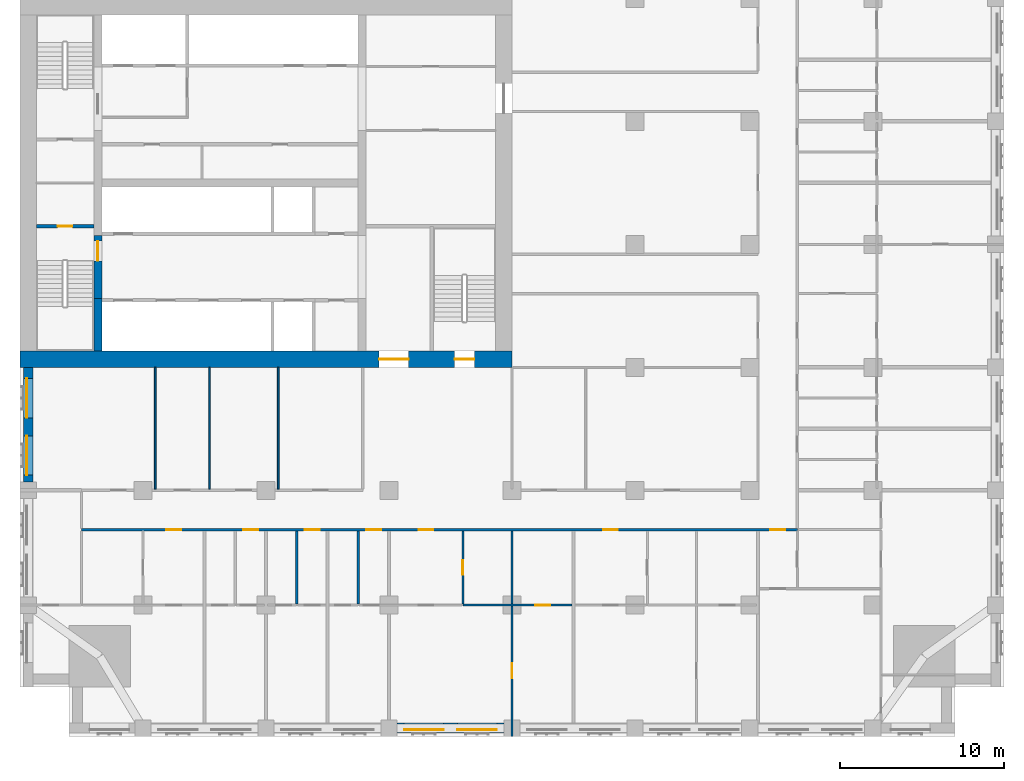
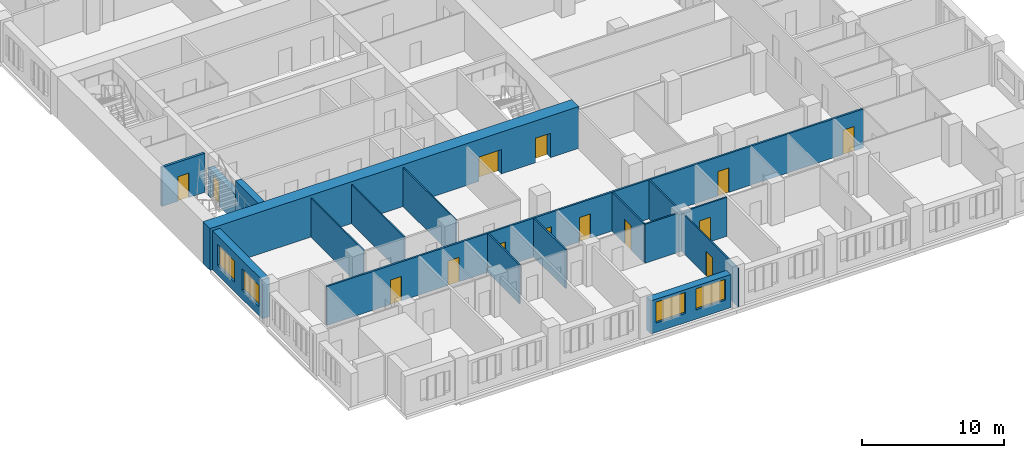
# One storey, part 5 of 15: 16 walls, 14 doors, 4 windows, 18 openings.
"""IFC4 building model written with IfcOpenShell, lengths in metres."""

from ifc_helpers import new_model, si_unit, direction, frame, frame_2d, origin, place, context, subcontext, project, spatial, rectangle, extrude, material, layer, layer_set, type_object, element, fill, save


model = new_model("IFC4")

# Units and contexts
model_context = context("Model", 3, precision=1e-05, world=origin(), true_north=direction((0.0, 1.0)))
body_context = subcontext(model_context, "Body", "Model", "MODEL_VIEW")
ifc_project = project(units=[si_unit("LENGTHUNIT", "METRE"), si_unit("AREAUNIT", "SQUARE_METRE"), si_unit("VOLUMEUNIT", "CUBIC_METRE"), si_unit("PLANEANGLEUNIT", "RADIAN"), si_unit("MASSUNIT", "GRAM", prefix="KILO")], contexts=[model_context])

# Site, building, storey
site_placement = place(None, origin())
site = spatial("IfcSite", under=ifc_project, at=site_placement, CompositionType="ELEMENT")
building_placement = place(site_placement, origin())
building = spatial("IfcBuilding", under=site, at=building_placement, Name="Tamorin Gate", CompositionType="ELEMENT")
storey_placement = place(building_placement, frame((0.0, 0.0, 111.5)))
storey = spatial("IfcBuildingStorey", under=building, at=storey_placement, Name="L27", CompositionType="ELEMENT", Elevation=111.5)

# Wall, openings, windows
ifc_material_1 = material(Name="Precast concrete C40/50", Category="concrete")
ifc_layer_1 = layer(ifc_material_1, 0.60009765625)
ifc_layer_set_1 = layer_set([ifc_layer_1], Name="Precast concrete C40/50")
wall_type_1 = type_object("IfcWallType", Name="Board-marked concrete facade panel 600", PredefinedType="SOLIDWALL", material=ifc_layer_set_1)
wall_1_placement = place(storey_placement, frame((53.0, 38.0, 0.0), z_axis=(0.0, 0.0, 1.0), x_axis=(1.0, 0.0, 0.0)))
wall_1 = element("IfcWall", 1, at=wall_1_placement, inside=storey, type_object=wall_type_1, Name="Facade panel", PredefinedType="SOLIDWALL", context=body_context, shape_type="SweptSolid", body=[
    extrude(rectangle(XDim=6.5, YDim=0.60009765625, at=frame_2d((3.25, 0.0))), origin(), (0.0, 0.0, 1.0), 2.85009765625),
])
opening_1_placement = place(wall_1_placement, frame((0.425048828125, 0.0, 0.800048828125)))
opening_1 = element("IfcOpeningElement", 2, at=opening_1_placement, cuts=wall_1, Name="Opening WN1", PredefinedType="OPENING", context=body_context, shape_type="SweptSolid", body=[
    extrude(rectangle(XDim=2.39990234375, YDim=1.800048828125, at=frame_2d((1.199951171875, 0.89990234375))), frame((0.0, 0.31005859375, 0.0), z_axis=(0.0, -1.0, 0.0), x_axis=(1.0, 0.0, 0.0)), (0.0, 0.0, 1.0), 0.6201171875),
])
opening_2_placement = place(wall_1_placement, frame((3.675048828125, 0.0, 0.800048828125)))
opening_2 = element("IfcOpeningElement", 3, at=opening_2_placement, cuts=wall_1, Name="Opening WN1", PredefinedType="OPENING", context=body_context, shape_type="SweptSolid", body=[
    extrude(rectangle(XDim=2.39990234375, YDim=1.800048828125, at=frame_2d((1.199951171875, 0.89990234375))), frame((0.0, 0.31005859375, 0.0), z_axis=(0.0, -1.0, 0.0), x_axis=(1.0, 0.0, 0.0)), (0.0, 0.0, 1.0), 0.6201171875),
])
ifc_material_2 = material(Name="Clear glass in aluminium frame", Category="aluminium")
window_type = type_object("IfcWindowType", Name="Deep-set window 2400x1800", PartitioningType="SINGLE_PANEL", PredefinedType="WINDOW", material=ifc_material_2)
window_1_placement = place(opening_1_placement, origin())
window_1 = element("IfcWindow", 4, at=window_1_placement, inside=storey, type_object=window_type, Name="Deep-set window", OverallHeight=1.800048828125, OverallWidth=2.39990234375, PartitioningType="SINGLE_PANEL", PredefinedType="WINDOW", context=body_context, shape_type="SweptSolid", body=[
    extrude(rectangle(XDim=2.39990234375, YDim=1.800048828125, at=frame_2d((1.199951171875, 0.89990234375))), frame((0.0, -0.070068359375, 0.0), z_axis=(0.0, -1.0, 0.0), x_axis=(1.0, 0.0, 0.0)), (0.0, 0.0, 1.0), 0.06005859375),
])
fill(opening_1, window_1)
window_2_placement = place(opening_2_placement, origin())
window_2 = element("IfcWindow", 5, at=window_2_placement, inside=storey, type_object=window_type, Name="Deep-set window", OverallHeight=1.800048828125, OverallWidth=2.39990234375, PartitioningType="SINGLE_PANEL", PredefinedType="WINDOW", context=body_context, shape_type="SweptSolid", body=[
    extrude(rectangle(XDim=2.39990234375, YDim=1.800048828125, at=frame_2d((1.199951171875, 0.89990234375))), frame((0.0, -0.070068359375, 0.0), z_axis=(0.0, -1.0, 0.0), x_axis=(1.0, 0.0, 0.0)), (0.0, 0.0, 1.0), 0.06005859375),
])
fill(opening_2, window_2)

wall_2_placement = place(storey_placement, frame((30.5, 60.0, 0.0), z_axis=(0.0, 0.0, 1.0), x_axis=(0.0, -1.0, 0.0)))
wall_2 = element("IfcWall", 6, at=wall_2_placement, inside=storey, type_object=wall_type_1, Name="Facade panel", PredefinedType="SOLIDWALL", context=body_context, shape_type="SweptSolid", body=[
    extrude(rectangle(XDim=7.0, YDim=0.60009765625, at=frame_2d((3.5, 0.0))), origin(), (0.0, 0.0, 1.0), 3.35009765625),
])
opening_3_placement = place(wall_2_placement, frame((4.175048828125, 0.0, 0.800048828125)))
opening_3 = element("IfcOpeningElement", 7, at=opening_3_placement, cuts=wall_2, Name="Opening WN1", PredefinedType="OPENING", context=body_context, shape_type="SweptSolid", body=[
    extrude(rectangle(XDim=2.39990234375, YDim=1.800048828125, at=frame_2d((1.199951171875, 0.89990234375))), frame((0.0, 0.31005859375, 0.0), z_axis=(0.0, -1.0, 0.0), x_axis=(1.0, 0.0, 0.0)), (0.0, 0.0, 1.0), 0.6201171875),
])
opening_4_placement = place(wall_2_placement, frame((0.675048828125, 0.0, 0.800048828125)))
opening_4 = element("IfcOpeningElement", 8, at=opening_4_placement, cuts=wall_2, Name="Opening WN1", PredefinedType="OPENING", context=body_context, shape_type="SweptSolid", body=[
    extrude(rectangle(XDim=2.39990234375, YDim=1.800048828125, at=frame_2d((1.199951171875, 0.89990234375))), frame((0.0, 0.31005859375, 0.0), z_axis=(0.0, -1.0, 0.0), x_axis=(1.0, 0.0, 0.0)), (0.0, 0.0, 1.0), 0.6201171875),
])
window_3_placement = place(opening_3_placement, origin())
window_3 = element("IfcWindow", 9, at=window_3_placement, inside=storey, type_object=window_type, Name="Deep-set window", OverallHeight=1.800048828125, OverallWidth=2.39990234375, PartitioningType="SINGLE_PANEL", PredefinedType="WINDOW", context=body_context, shape_type="SweptSolid", body=[
    extrude(rectangle(XDim=2.39990234375, YDim=1.800048828125, at=frame_2d((1.199951171875, 0.89990234375))), frame((0.0, -0.070068359375, 0.0), z_axis=(0.0, -1.0, 0.0), x_axis=(1.0, 0.0, 0.0)), (0.0, 0.0, 1.0), 0.06005859375),
])
fill(opening_3, window_3)
window_4_placement = place(opening_4_placement, origin())
window_4 = element("IfcWindow", 10, at=window_4_placement, inside=storey, type_object=window_type, Name="Deep-set window", OverallHeight=1.800048828125, OverallWidth=2.39990234375, PartitioningType="SINGLE_PANEL", PredefinedType="WINDOW", context=body_context, shape_type="SweptSolid", body=[
    extrude(rectangle(XDim=2.39990234375, YDim=1.800048828125, at=frame_2d((1.199951171875, 0.89990234375))), frame((0.0, -0.070068359375, 0.0), z_axis=(0.0, -1.0, 0.0), x_axis=(1.0, 0.0, 0.0)), (0.0, 0.0, 1.0), 0.06005859375),
])
fill(opening_4, window_4)

# Wall, openings, doors
ifc_material_3 = material(Name="Gypsum board partition")
ifc_layer_2 = layer(ifc_material_3, 0.14990234375)
ifc_layer_set_2 = layer_set([ifc_layer_2], Name="Corridor wall 150")
wall_type_2 = type_object("IfcWallType", Name="Corridor wall 150", PredefinedType="PARTITIONING", material=ifc_layer_set_2)
wall_3_placement = place(storey_placement, frame((33.75, 50.10009765625, 0.0), z_axis=(0.0, 0.0, 1.0), x_axis=(1.0, 0.0, 0.0)))
wall_3 = element("IfcWall", 11, at=wall_3_placement, inside=storey, type_object=wall_type_2, Name="Corridor wall 150", PredefinedType="PARTITIONING", context=body_context, shape_type="SweptSolid", body=[
    extrude(rectangle(XDim=43.64990234375, YDim=0.14990234375, at=frame_2d((21.824951171875, 0.0))), origin(), (0.0, 0.0, 1.0), 3.35009765625),
])
opening_5_placement = place(wall_3_placement, frame((5.175048828125, 0.0, 0.0)))
opening_5 = element("IfcOpeningElement", 12, at=opening_5_placement, cuts=wall_3, Name="Opening DH6003", PredefinedType="OPENING", context=body_context, shape_type="SweptSolid", body=[
    extrude(rectangle(XDim=0.89990234375, YDim=2.10009765625, at=frame_2d((0.449951171875, 1.050048828125))), frame((0.0, 0.0849609375, 0.0), z_axis=(0.0, -1.0, 0.0), x_axis=(1.0, 0.0, 0.0)), (0.0, 0.0, 1.0), 0.169921875),
])
opening_6_placement = place(wall_3_placement, frame((9.862548828125, 0.0, 0.0)))
opening_6 = element("IfcOpeningElement", 13, at=opening_6_placement, cuts=wall_3, Name="Opening DH6006", PredefinedType="OPENING", context=body_context, shape_type="SweptSolid", body=[
    extrude(rectangle(XDim=0.89990234375, YDim=2.10009765625, at=frame_2d((0.449951171875, 1.050048828125))), frame((0.0, 0.0849609375, 0.0), z_axis=(0.0, -1.0, 0.0), x_axis=(1.0, 0.0, 0.0)), (0.0, 0.0, 1.0), 0.169921875),
])
opening_7_placement = place(wall_3_placement, frame((13.612548828125, 0.0, 0.0)))
opening_7 = element("IfcOpeningElement", 14, at=opening_7_placement, cuts=wall_3, Name="Opening DH6009", PredefinedType="OPENING", context=body_context, shape_type="SweptSolid", body=[
    extrude(rectangle(XDim=0.89990234375, YDim=2.10009765625, at=frame_2d((0.449951171875, 1.050048828125))), frame((0.0, 0.0849609375, 0.0), z_axis=(0.0, -1.0, 0.0), x_axis=(1.0, 0.0, 0.0)), (0.0, 0.0, 1.0), 0.169921875),
])
opening_8_placement = place(wall_3_placement, frame((17.362548828125, 0.0, 0.0)))
opening_8 = element("IfcOpeningElement", 15, at=opening_8_placement, cuts=wall_3, Name="Opening DH6012", PredefinedType="OPENING", context=body_context, shape_type="SweptSolid", body=[
    extrude(rectangle(XDim=0.89990234375, YDim=2.10009765625, at=frame_2d((0.449951171875, 1.050048828125))), frame((0.0, 0.0849609375, 0.0), z_axis=(0.0, -1.0, 0.0), x_axis=(1.0, 0.0, 0.0)), (0.0, 0.0, 1.0), 0.169921875),
])
opening_9_placement = place(wall_3_placement, frame((20.550048828125, 0.0, 0.0)))
opening_9 = element("IfcOpeningElement", 16, at=opening_9_placement, cuts=wall_3, Name="Opening DH6014", PredefinedType="OPENING", context=body_context, shape_type="SweptSolid", body=[
    extrude(rectangle(XDim=0.89990234375, YDim=2.10009765625, at=frame_2d((0.449951171875, 1.050048828125))), frame((0.0, 0.0849609375, 0.0), z_axis=(0.0, -1.0, 0.0), x_axis=(1.0, 0.0, 0.0)), (0.0, 0.0, 1.0), 0.169921875),
])
opening_10_placement = place(wall_3_placement, frame((31.800048828125, 0.0, 0.0)))
opening_10 = element("IfcOpeningElement", 17, at=opening_10_placement, cuts=wall_3, Name="Opening DH6019", PredefinedType="OPENING", context=body_context, shape_type="SweptSolid", body=[
    extrude(rectangle(XDim=0.89990234375, YDim=2.10009765625, at=frame_2d((0.449951171875, 1.050048828125))), frame((0.0, 0.0849609375, 0.0), z_axis=(0.0, -1.0, 0.0), x_axis=(1.0, 0.0, 0.0)), (0.0, 0.0, 1.0), 0.169921875),
])
opening_11_placement = place(wall_3_placement, frame((42.0, 0.0, 0.0)))
opening_11 = element("IfcOpeningElement", 18, at=opening_11_placement, cuts=wall_3, Name="Opening DH6074", PredefinedType="OPENING", context=body_context, shape_type="SweptSolid", body=[
    extrude(rectangle(XDim=0.89990234375, YDim=2.10009765625, at=frame_2d((0.449951171875, 1.050048828125))), frame((0.0, 0.0849609375, 0.0), z_axis=(0.0, -1.0, 0.0), x_axis=(1.0, 0.0, 0.0)), (0.0, 0.0, 1.0), 0.169921875),
])
ifc_material_4 = material(Name="Timber door leaf", Category="wood")
door_type_1 = type_object("IfcDoorType", Name="Door 900 x 2100 FD30S", OperationType="NOTDEFINED", PredefinedType="DOOR", material=ifc_material_4)
door_1_placement = place(opening_5_placement, origin())
door_1 = element("IfcDoor", 19, at=door_1_placement, inside=storey, type_object=door_type_1, Name="Door DH6003", OperationType="SINGLE_SWING_RIGHT", OverallHeight=2.10009765625, OverallWidth=0.89990234375, PredefinedType="DOOR", context=body_context, shape_type="SweptSolid", body=[
    extrude(rectangle(XDim=0.89990234375, YDim=2.10009765625, at=frame_2d((0.449951171875, 1.050048828125))), frame((0.0, 0.02490234375, 0.0), z_axis=(0.0, -1.0, 0.0), x_axis=(1.0, 0.0, 0.0)), (0.0, 0.0, 1.0), 0.050048828125),
])
fill(opening_5, door_1)
door_2_placement = place(opening_6_placement, origin())
door_2 = element("IfcDoor", 20, at=door_2_placement, inside=storey, type_object=door_type_1, Name="Door DH6006", OperationType="SINGLE_SWING_RIGHT", OverallHeight=2.10009765625, OverallWidth=0.89990234375, PredefinedType="DOOR", context=body_context, shape_type="SweptSolid", body=[
    extrude(rectangle(XDim=0.89990234375, YDim=2.10009765625, at=frame_2d((0.449951171875, 1.050048828125))), frame((0.0, 0.02490234375, 0.0), z_axis=(0.0, -1.0, 0.0), x_axis=(1.0, 0.0, 0.0)), (0.0, 0.0, 1.0), 0.050048828125),
])
fill(opening_6, door_2)
door_3_placement = place(opening_7_placement, origin())
door_3 = element("IfcDoor", 21, at=door_3_placement, inside=storey, type_object=door_type_1, Name="Door DH6009", OperationType="SINGLE_SWING_RIGHT", OverallHeight=2.10009765625, OverallWidth=0.89990234375, PredefinedType="DOOR", context=body_context, shape_type="SweptSolid", body=[
    extrude(rectangle(XDim=0.89990234375, YDim=2.10009765625, at=frame_2d((0.449951171875, 1.050048828125))), frame((0.0, 0.02490234375, 0.0), z_axis=(0.0, -1.0, 0.0), x_axis=(1.0, 0.0, 0.0)), (0.0, 0.0, 1.0), 0.050048828125),
])
fill(opening_7, door_3)
door_4_placement = place(opening_8_placement, origin())
door_4 = element("IfcDoor", 22, at=door_4_placement, inside=storey, type_object=door_type_1, Name="Door DH6012", OperationType="SINGLE_SWING_RIGHT", OverallHeight=2.10009765625, OverallWidth=0.89990234375, PredefinedType="DOOR", context=body_context, shape_type="SweptSolid", body=[
    extrude(rectangle(XDim=0.89990234375, YDim=2.10009765625, at=frame_2d((0.449951171875, 1.050048828125))), frame((0.0, 0.02490234375, 0.0), z_axis=(0.0, -1.0, 0.0), x_axis=(1.0, 0.0, 0.0)), (0.0, 0.0, 1.0), 0.050048828125),
])
fill(opening_8, door_4)
door_5_placement = place(opening_9_placement, origin())
door_5 = element("IfcDoor", 23, at=door_5_placement, inside=storey, type_object=door_type_1, Name="Door DH6014", OperationType="SINGLE_SWING_RIGHT", OverallHeight=2.10009765625, OverallWidth=0.89990234375, PredefinedType="DOOR", context=body_context, shape_type="SweptSolid", body=[
    extrude(rectangle(XDim=0.89990234375, YDim=2.10009765625, at=frame_2d((0.449951171875, 1.050048828125))), frame((0.0, 0.02490234375, 0.0), z_axis=(0.0, -1.0, 0.0), x_axis=(1.0, 0.0, 0.0)), (0.0, 0.0, 1.0), 0.050048828125),
])
fill(opening_9, door_5)
door_6_placement = place(opening_10_placement, origin())
door_6 = element("IfcDoor", 24, at=door_6_placement, inside=storey, type_object=door_type_1, Name="Door DH6019", OperationType="SINGLE_SWING_RIGHT", OverallHeight=2.10009765625, OverallWidth=0.89990234375, PredefinedType="DOOR", context=body_context, shape_type="SweptSolid", body=[
    extrude(rectangle(XDim=0.89990234375, YDim=2.10009765625, at=frame_2d((0.449951171875, 1.050048828125))), frame((0.0, 0.02490234375, 0.0), z_axis=(0.0, -1.0, 0.0), x_axis=(1.0, 0.0, 0.0)), (0.0, 0.0, 1.0), 0.050048828125),
])
fill(opening_10, door_6)
door_7_placement = place(opening_11_placement, origin())
door_7 = element("IfcDoor", 25, at=door_7_placement, inside=storey, type_object=door_type_1, Name="Door DH6074", OperationType="SINGLE_SWING_LEFT", OverallHeight=2.10009765625, OverallWidth=0.89990234375, PredefinedType="DOOR", context=body_context, shape_type="SweptSolid", body=[
    extrude(rectangle(XDim=0.89990234375, YDim=2.10009765625, at=frame_2d((0.449951171875, 1.050048828125))), frame((0.0, 0.02490234375, 0.0), z_axis=(0.0, -1.0, 0.0), x_axis=(1.0, 0.0, 0.0)), (0.0, 0.0, 1.0), 0.050048828125),
])
fill(opening_11, door_7)

# Wall
ifc_material_5 = material(Name="Concrete C80/95", Category="concrete")
ifc_layer_3 = layer(ifc_material_5, 0.5)
ifc_layer_set_3 = layer_set([ifc_layer_3], Name="RC core internal wall 500 C80/95")
wall_type_3 = type_object("IfcWallType", Name="RC core internal wall 500 C80/95", PredefinedType="SHEAR", material=ifc_layer_set_3)
wall_4_placement = place(storey_placement, frame((34.75, 61.0, 0.0), z_axis=(0.0, 0.0, 1.0), x_axis=(0.0, 1.0, 0.0)))
element("IfcWall", 26, at=wall_4_placement, inside=storey, type_object=wall_type_3, Name="Core cross wall L27", PredefinedType="SHEAR", context=body_context, shape_type="SweptSolid", body=[
    extrude(rectangle(XDim=3.199951171875, YDim=0.5, at=frame_2d((1.60009765625, 0.0))), origin(), (0.0, 0.0, 1.0), 3.60009765625),
])

# Wall, openings, doors
ifc_layer_4 = layer(ifc_material_5, 1.0)
ifc_layer_set_4 = layer_set([ifc_layer_4], Name="RC core wall 1000 C80/95")
wall_type_4 = type_object("IfcWallType", Name="RC core wall 1000 C80/95", PredefinedType="SHEAR", material=ifc_layer_set_4)
wall_5_placement = place(storey_placement, frame((30.0, 60.5, 0.0), z_axis=(0.0, 0.0, 1.0), x_axis=(1.0, 0.0, 0.0)))
wall_5 = element("IfcWall", 27, at=wall_5_placement, inside=storey, type_object=wall_type_4, Name="Core wall L27", PredefinedType="SHEAR", context=body_context, shape_type="SweptSolid", body=[
    extrude(rectangle(XDim=30.0, YDim=1.0, at=frame_2d((15.0, 0.0))), origin(), (0.0, 0.0, 1.0), 3.60009765625),
])
opening_12_placement = place(wall_5_placement, frame((21.89990234375, 0.0, 0.0)))
opening_12 = element("IfcOpeningElement", 28, at=opening_12_placement, cuts=wall_5, Name="Opening DE1", PredefinedType="OPENING", context=body_context, shape_type="SweptSolid", body=[
    extrude(rectangle(XDim=1.800048828125, YDim=2.10009765625, at=frame_2d((0.89990234375, 1.050048828125))), frame((0.0, 0.510009765625, 0.0), z_axis=(0.0, -1.0, 0.0), x_axis=(1.0, 0.0, 0.0)), (0.0, 0.0, 1.0), 1.02001953125),
])
opening_13_placement = place(wall_5_placement, frame((26.5, 0.0, 0.0)))
opening_13 = element("IfcOpeningElement", 29, at=opening_13_placement, cuts=wall_5, Name="Opening DS1", PredefinedType="OPENING", context=body_context, shape_type="SweptSolid", body=[
    extrude(rectangle(XDim=1.199951171875, YDim=2.10009765625, at=frame_2d((0.60009765625, 1.050048828125))), frame((0.0, 0.510009765625, 0.0), z_axis=(0.0, -1.0, 0.0), x_axis=(1.0, 0.0, 0.0)), (0.0, 0.0, 1.0), 1.02001953125),
])
ifc_material_6 = material(Name="Steel fire door", Category="steel")
door_type_2 = type_object("IfcDoorType", Name="Lobby exit double door 1800 x 2100 EI 60", OperationType="DOUBLE_DOOR_SINGLE_SWING", PredefinedType="DOOR", material=ifc_material_6)
door_8_placement = place(opening_12_placement, origin())
door_8 = element("IfcDoor", 30, at=door_8_placement, inside=storey, type_object=door_type_2, Name="Lift lobby A exit door", OperationType="DOUBLE_DOOR_SINGLE_SWING", OverallHeight=2.10009765625, OverallWidth=1.800048828125, PredefinedType="DOOR", context=body_context, shape_type="SweptSolid", body=[
    extrude(rectangle(XDim=1.800048828125, YDim=2.10009765625, at=frame_2d((0.89990234375, 1.050048828125))), frame((0.0, 0.02490234375, 0.0), z_axis=(0.0, -1.0, 0.0), x_axis=(1.0, 0.0, 0.0)), (0.0, 0.0, 1.0), 0.050048828125),
])
fill(opening_12, door_8)
door_type_3 = type_object("IfcDoorType", Name="Stair door 1200 x 2100 EI 90", OperationType="SINGLE_SWING_LEFT", PredefinedType="DOOR", material=ifc_material_6)
door_9_placement = place(opening_13_placement, origin())
door_9 = element("IfcDoor", 31, at=door_9_placement, inside=storey, type_object=door_type_3, Name="ST3 door", OperationType="SINGLE_SWING_LEFT", OverallHeight=2.10009765625, OverallWidth=1.199951171875, PredefinedType="DOOR", context=body_context, shape_type="SweptSolid", body=[
    extrude(rectangle(XDim=1.199951171875, YDim=2.10009765625, at=frame_2d((0.60009765625, 1.050048828125))), frame((0.0, 0.02490234375, 0.0), z_axis=(0.0, -1.0, 0.0), x_axis=(1.0, 0.0, 0.0)), (0.0, 0.0, 1.0), 0.050048828125),
])
fill(opening_13, door_9)

# Walls
ifc_layer_5 = layer(ifc_material_3, 0.10009765625)
ifc_layer_set_5 = layer_set([ifc_layer_5], Name="Room partition 100")
wall_type_5 = type_object("IfcWallType", Name="Room partition 100", PredefinedType="PARTITIONING", material=ifc_layer_set_5)
for number, where, z_axis, x_axis, name in (
    (32, (38.25, 52.574951171875, 0.0), (0.0, 0.0, 1.0), (0.0, 1.0, 0.0), "Room partition 100"),
    (33, (41.550048828125, 52.574951171875, 0.0), (0.0, 0.0, 1.0), (0.0, 1.0, 0.0), "Room partition 100"),
    (34, (45.75, 52.574951171875, 0.0), (0.0, 0.0, 1.0), (0.0, 1.0, 0.0), "Room partition 100"),
):
    element("IfcWall", number, at=place(storey_placement, frame(where, z_axis=z_axis, x_axis=x_axis)), inside=storey, type_object=wall_type_5, Name=name, PredefinedType="PARTITIONING", context=body_context, shape_type="SweptSolid", body=[
        extrude(rectangle(XDim=7.425048828125, YDim=0.10009765625, at=frame_2d((3.71240234375, 0.0))), origin(), (0.0, 0.0, 1.0), 3.35009765625),
    ])

# Wall, opening, door
wall_6_placement = place(storey_placement, frame((60.0, 37.5, 0.0), z_axis=(0.0, 0.0, 1.0), x_axis=(0.0, 1.0, 0.0)))
wall_6 = element("IfcWall", 35, at=wall_6_placement, inside=storey, type_object=wall_type_5, Name="Room partition 100", PredefinedType="PARTITIONING", context=body_context, shape_type="SweptSolid", body=[
    extrude(rectangle(XDim=7.9375, YDim=0.10009765625, at=frame_2d((3.96875, 0.0))), origin(), (0.0, 0.0, 1.0), 3.35009765625),
])
opening_14_placement = place(wall_6_placement, frame((3.550048828125, 0.0, 0.0)))
opening_14 = element("IfcOpeningElement", 36, at=opening_14_placement, cuts=wall_6, Name="Opening DH6018", PredefinedType="OPENING", context=body_context, shape_type="SweptSolid", body=[
    extrude(rectangle(XDim=0.89990234375, YDim=2.10009765625, at=frame_2d((0.449951171875, 1.050048828125))), frame((0.0, 0.06005859375, 0.0), z_axis=(0.0, -1.0, 0.0), x_axis=(1.0, 0.0, 0.0)), (0.0, 0.0, 1.0), 0.1201171875),
])
door_type_4 = type_object("IfcDoorType", Name="Door 900 x 2100", OperationType="NOTDEFINED", PredefinedType="DOOR", material=ifc_material_4)
door_10_placement = place(opening_14_placement, origin())
door_10 = element("IfcDoor", 37, at=door_10_placement, inside=storey, type_object=door_type_4, Name="Door DH6018", OperationType="SINGLE_SWING_LEFT", OverallHeight=2.10009765625, OverallWidth=0.89990234375, PredefinedType="DOOR", context=body_context, shape_type="SweptSolid", body=[
    extrude(rectangle(XDim=0.89990234375, YDim=2.10009765625, at=frame_2d((0.449951171875, 1.050048828125))), frame((0.0, 0.02490234375, 0.0), z_axis=(0.0, -1.0, 0.0), x_axis=(1.0, 0.0, 0.0)), (0.0, 0.0, 1.0), 0.050048828125),
])
fill(opening_14, door_10)

ifc_material_7 = material(Name="Concrete C40/50", Category="concrete")
ifc_layer_6 = layer(ifc_material_7, 0.199951171875)
ifc_layer_set_6 = layer_set([ifc_layer_6], Name="Stair enclosure wall 200 EI 120 C40/50")
wall_type_6 = type_object("IfcWallType", Name="Stair enclosure wall 200 EI 120 C40/50", PredefinedType="SOLIDWALL", material=ifc_layer_set_6)
wall_7_placement = place(storey_placement, frame((31.0, 68.60009765625, 0.0), z_axis=(0.0, 0.0, 1.0), x_axis=(1.0, 0.0, 0.0)))
wall_7 = element("IfcWall", 38, at=wall_7_placement, inside=storey, type_object=wall_type_6, Name="Stair enclosure wall", PredefinedType="SOLIDWALL", context=body_context, shape_type="SweptSolid", body=[
    extrude(rectangle(XDim=3.5, YDim=0.199951171875, at=frame_2d((1.75, 0.0))), origin(), (0.0, 0.0, 1.0), 3.35009765625),
])
opening_15_placement = place(wall_7_placement, frame((1.300048828125, 0.0, 0.0)))
opening_15 = element("IfcOpeningElement", 39, at=opening_15_placement, cuts=wall_7, Name="Opening DR1", PredefinedType="OPENING", context=body_context, shape_type="SweptSolid", body=[
    extrude(rectangle(XDim=0.89990234375, YDim=2.10009765625, at=frame_2d((0.449951171875, 1.050048828125))), frame((0.0, 0.10986328125, 0.0), z_axis=(0.0, -1.0, 0.0), x_axis=(1.0, 0.0, 0.0)), (0.0, 0.0, 1.0), 0.219970703125),
])
door_type_5 = type_object("IfcDoorType", Name="Riser access door 900 x 2100 EI 120", OperationType="SINGLE_SWING_LEFT", PredefinedType="DOOR", material=ifc_material_6)
door_11_placement = place(opening_15_placement, origin())
door_11 = element("IfcDoor", 40, at=door_11_placement, inside=storey, type_object=door_type_5, Name="Electrical riser door", OperationType="SINGLE_SWING_LEFT", OverallHeight=2.10009765625, OverallWidth=0.89990234375, PredefinedType="DOOR", context=body_context, shape_type="SweptSolid", body=[
    extrude(rectangle(XDim=0.89990234375, YDim=2.10009765625, at=frame_2d((0.449951171875, 1.050048828125))), frame((0.0, 0.02490234375, 0.0), z_axis=(0.0, -1.0, 0.0), x_axis=(1.0, 0.0, 0.0)), (0.0, 0.0, 1.0), 0.050048828125),
])
fill(opening_15, door_11)

ifc_material_8 = material(Name="Concrete C32/40", Category="concrete")
ifc_layer_7 = layer(ifc_material_8, 0.5)
ifc_layer_set_7 = layer_set([ifc_layer_7], Name="Stair lobby infill wall 500 EI 120")
wall_type_7 = type_object("IfcWallType", Name="Stair lobby infill wall 500 EI 120", PredefinedType="SOLIDWALL", material=ifc_layer_set_7)
wall_8_placement = place(storey_placement, frame((34.75, 64.199951171875, 0.0), z_axis=(0.0, 0.0, 1.0), x_axis=(0.0, 1.0, 0.0)))
wall_8 = element("IfcWall", 41, at=wall_8_placement, inside=storey, type_object=wall_type_7, Name="Stair lobby infill wall", PredefinedType="SOLIDWALL", context=body_context, shape_type="SweptSolid", body=[
    extrude(rectangle(XDim=3.85009765625, YDim=0.5, at=frame_2d((1.925048828125, 0.0))), origin(), (0.0, 0.0, 1.0), 2.39990234375),
])
opening_16_placement = place(wall_8_placement, frame((2.300048828125, 0.0, 0.0)))
opening_16 = element("IfcOpeningElement", 42, at=opening_16_placement, cuts=wall_8, Name="Opening DS1", PredefinedType="OPENING", context=body_context, shape_type="SweptSolid", body=[
    extrude(rectangle(XDim=1.199951171875, YDim=2.10009765625, at=frame_2d((0.60009765625, 1.050048828125))), frame((0.0, 0.260009765625, 0.0), z_axis=(0.0, -1.0, 0.0), x_axis=(1.0, 0.0, 0.0)), (0.0, 0.0, 1.0), 0.52001953125),
])
door_12_placement = place(opening_16_placement, origin())
door_12 = element("IfcDoor", 43, at=door_12_placement, inside=storey, type_object=door_type_3, Name="ST1 door", OperationType="SINGLE_SWING_LEFT", OverallHeight=2.10009765625, OverallWidth=1.199951171875, PredefinedType="DOOR", context=body_context, shape_type="SweptSolid", body=[
    extrude(rectangle(XDim=1.199951171875, YDim=2.10009765625, at=frame_2d((0.60009765625, 1.050048828125))), frame((0.0, 0.02490234375, 0.0), z_axis=(0.0, -1.0, 0.0), x_axis=(1.0, 0.0, 0.0)), (0.0, 0.0, 1.0), 0.050048828125),
])
fill(opening_16, door_12)

ifc_layer_8 = layer(ifc_material_3, 0.125)
ifc_layer_set_8 = layer_set([ifc_layer_8], Name="Wet wall 125")
wall_type_8 = type_object("IfcWallType", Name="Wet wall 125", PredefinedType="PARTITIONING", material=ifc_layer_set_8)
wall_9_placement = place(storey_placement, frame((57.0, 45.5, 0.0), z_axis=(0.0, 0.0, 1.0), x_axis=(1.0, 0.0, 0.0)))
wall_9 = element("IfcWall", 44, at=wall_9_placement, inside=storey, type_object=wall_type_8, Name="Wet wall 125", PredefinedType="PARTITIONING", context=body_context, shape_type="SweptSolid", body=[
    extrude(rectangle(XDim=6.64990234375, YDim=0.125, at=frame_2d((3.324951171875, 0.0))), origin(), (0.0, 0.0, 1.0), 3.35009765625),
])
opening_17_placement = place(wall_9_placement, frame((4.425048828125, 0.0, 0.0)))
opening_17 = element("IfcOpeningElement", 45, at=opening_17_placement, cuts=wall_9, Name="Opening DH6017", PredefinedType="OPENING", context=body_context, shape_type="SweptSolid", body=[
    extrude(rectangle(XDim=0.89990234375, YDim=2.10009765625, at=frame_2d((0.449951171875, 1.050048828125))), frame((0.0, 0.072509765625, 0.0), z_axis=(0.0, -1.0, 0.0), x_axis=(1.0, 0.0, 0.0)), (0.0, 0.0, 1.0), 0.14501953125),
])
door_13_placement = place(opening_17_placement, origin())
door_13 = element("IfcDoor", 46, at=door_13_placement, inside=storey, type_object=door_type_4, Name="Door DH6017", OperationType="SINGLE_SWING_LEFT", OverallHeight=2.10009765625, OverallWidth=0.89990234375, PredefinedType="DOOR", context=body_context, shape_type="SweptSolid", body=[
    extrude(rectangle(XDim=0.89990234375, YDim=2.10009765625, at=frame_2d((0.449951171875, 1.050048828125))), frame((0.0, 0.02490234375, 0.0), z_axis=(0.0, -1.0, 0.0), x_axis=(1.0, 0.0, 0.0)), (0.0, 0.0, 1.0), 0.050048828125),
])
fill(opening_17, door_13)

# Walls
for number, where, z_axis, x_axis, name in (
    (47, (46.875, 45.5625, 0.0), (0.0, 0.0, 1.0), (0.0, 1.0, 0.0), "Wet wall 125"),
    (48, (50.625, 45.5625, 0.0), (0.0, 0.0, 1.0), (0.0, 1.0, 0.0), "Wet wall 125"),
):
    element("IfcWall", number, at=place(storey_placement, frame(where, z_axis=z_axis, x_axis=x_axis)), inside=storey, type_object=wall_type_8, Name=name, PredefinedType="PARTITIONING", context=body_context, shape_type="SweptSolid", body=[
        extrude(rectangle(XDim=4.46240234375, YDim=0.125, at=frame_2d((2.231201171875, 0.0))), origin(), (0.0, 0.0, 1.0), 3.35009765625),
    ])

# Wall, opening, door
wall_10_placement = place(storey_placement, frame((57.0, 45.5625, 0.0), z_axis=(0.0, 0.0, 1.0), x_axis=(0.0, 1.0, 0.0)))
wall_10 = element("IfcWall", 49, at=wall_10_placement, inside=storey, type_object=wall_type_8, Name="Wet wall 125", PredefinedType="PARTITIONING", context=body_context, shape_type="SweptSolid", body=[
    extrude(rectangle(XDim=4.46240234375, YDim=0.125, at=frame_2d((2.231201171875, 0.0))), origin(), (0.0, 0.0, 1.0), 3.35009765625),
])
opening_18_placement = place(wall_10_placement, frame((1.78759765625, 0.0, 0.0)))
opening_18 = element("IfcOpeningElement", 50, at=opening_18_placement, cuts=wall_10, Name="Opening DH6016", PredefinedType="OPENING", context=body_context, shape_type="SweptSolid", body=[
    extrude(rectangle(XDim=0.89990234375, YDim=2.10009765625, at=frame_2d((0.449951171875, 1.050048828125))), frame((0.0, 0.072509765625, 0.0), z_axis=(0.0, -1.0, 0.0), x_axis=(1.0, 0.0, 0.0)), (0.0, 0.0, 1.0), 0.14501953125),
])
door_14_placement = place(opening_18_placement, origin())
door_14 = element("IfcDoor", 51, at=door_14_placement, inside=storey, type_object=door_type_4, Name="Door DH6016", OperationType="SINGLE_SWING_LEFT", OverallHeight=2.10009765625, OverallWidth=0.89990234375, PredefinedType="DOOR", context=body_context, shape_type="SweptSolid", body=[
    extrude(rectangle(XDim=0.89990234375, YDim=2.10009765625, at=frame_2d((0.449951171875, 1.050048828125))), frame((0.0, 0.02490234375, 0.0), z_axis=(0.0, -1.0, 0.0), x_axis=(1.0, 0.0, 0.0)), (0.0, 0.0, 1.0), 0.050048828125),
])
fill(opening_18, door_14)

# Wall
wall_11_placement = place(storey_placement, frame((60.0, 45.5625, 0.0), z_axis=(0.0, 0.0, 1.0), x_axis=(0.0, 1.0, 0.0)))
element("IfcWall", 52, at=wall_11_placement, inside=storey, type_object=wall_type_8, Name="Wet wall 125", PredefinedType="PARTITIONING", context=body_context, shape_type="SweptSolid", body=[
    extrude(rectangle(XDim=4.46240234375, YDim=0.125, at=frame_2d((2.231201171875, 0.0))), origin(), (0.0, 0.0, 1.0), 3.35009765625),
])

save(model, "model.ifc")
